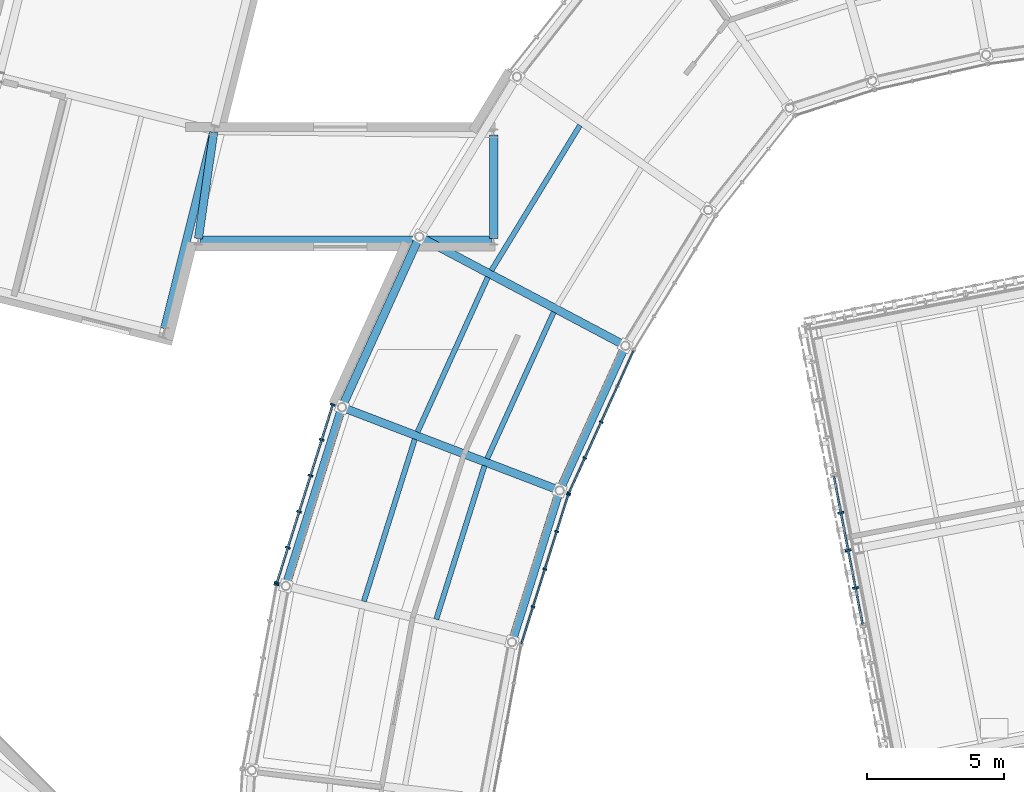
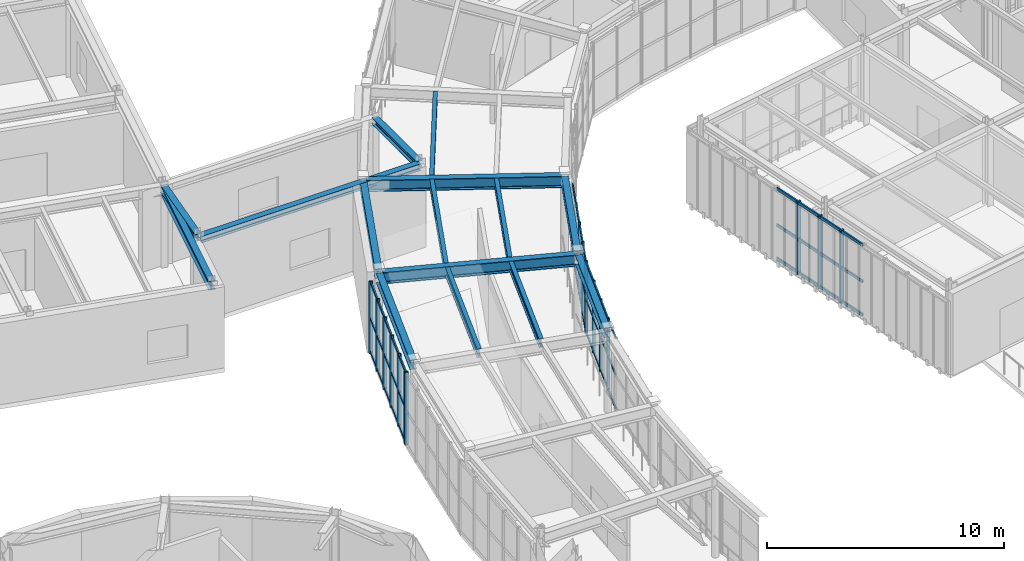
# One storey, part 40 of 103: 29 members, 15 beams, 5 elements without a shape of their own.
"""IFC4 building model written with IfcOpenShell, lengths in metres."""

import ifcopenshell
import ifcopenshell.guid

model = None  # the IFC model being written
_history = None  # IfcOwnerHistory: only IFC2X3 demands one
_inside = {}  # id of a spatial element -> (the spatial element, [elements in it])
_under = {}  # id of a project, library or spatial element -> (it, [spatial elements below it])
_declared = {}  # id of a project -> (the project, [libraries it declares])
_typed = {}  # id of a type object -> (the type object, [elements of that type])
_made_of = {}  # id of a material, layer set ... -> (it, [elements and type objects made of it])


def new_model(schema):
    """Start an empty IFC model of exactly this schema.

    Asked for "IFC4X3", IfcOpenShell would pick the latest addendum, in which some entities
    have other attributes; the version numbers below select the first issue.
    IFC2X3 requires an IfcOwnerHistory on every rooted entity: one is made here for all.
    """
    global model, _history
    if schema == "IFC4X3":
        model = ifcopenshell.file(schema_version=(4, 3, 0, 0))
    else:
        model = ifcopenshell.file(schema=schema)
    _inside.clear()
    _under.clear()
    _declared.clear()
    _typed.clear()
    _made_of.clear()
    _history = None
    if model.schema == "IFC2X3":
        org = make("IfcOrganization", Name="unknown")
        user = make(
            "IfcPersonAndOrganization",
            ThePerson=make("IfcPerson", FamilyName="unknown"),
            TheOrganization=org,
        )
        app = make(
            "IfcApplication",
            ApplicationDeveloper=org,
            Version="unknown",
            ApplicationFullName="unknown",
            ApplicationIdentifier="unknown",
        )
        _history = make(
            "IfcOwnerHistory",
            OwningUser=user,
            OwningApplication=app,
            ChangeAction="ADDED",
            CreationDate=0,
        )
    return model


def make(cls, **values):
    """One entity of the class cls with the attributes given. An attribute that is None is left unset."""
    return model.create_entity(
        cls, **{name: value for name, value in values.items() if value is not None}
    )


def rooted(cls, **values):
    """An entity with a GlobalId (a new one), such as an element, a storey or a relation."""
    return make(cls, GlobalId=ifcopenshell.guid.new(), OwnerHistory=_history, **values)


def si_unit(unit_type, name, prefix=None):
    """IfcSIUnit, for example si_unit("LENGTHUNIT", "METRE", prefix="MILLI")."""
    return make("IfcSIUnit", UnitType=unit_type, Prefix=prefix, Name=name)


def assignment(units):
    """IfcUnitAssignment: the units of a project."""
    return None if units is None else make("IfcUnitAssignment", Units=units)


def point(xyz):
    """IfcCartesianPoint."""
    return None if xyz is None else make("IfcCartesianPoint", Coordinates=xyz)


def direction(xyz):
    """IfcDirection."""
    return None if xyz is None else make("IfcDirection", DirectionRatios=xyz)


def frame(location, z_axis=None, x_axis=None):
    """IfcAxis2Placement3D, a coordinate frame: its origin and axes. An axis left out is left unset."""
    return make(
        "IfcAxis2Placement3D",
        Location=point(location),
        Axis=direction(z_axis),
        RefDirection=direction(x_axis),
    )


def frame_2d(location, x_axis=None):
    """IfcAxis2Placement2D, a coordinate frame in the plane: its origin and x axis."""
    return make(
        "IfcAxis2Placement2D", Location=point(location), RefDirection=direction(x_axis)
    )


def origin():
    """The frame at (0, 0, 0) with its axes left unset."""
    return frame((0.0, 0.0, 0.0))


def origin_2d():
    """The frame at (0, 0) in the plane with its x axis left unset."""
    return frame_2d((0.0, 0.0))


def place(relative_to, where):
    """IfcLocalPlacement: puts the frame where relative to a parent placement (None: the world)."""
    return make(
        "IfcLocalPlacement", PlacementRelTo=relative_to, RelativePlacement=where
    )


def context(
    kind, dimensions, precision=None, world=None, true_north=None, identifier=None
):
    """IfcGeometricRepresentationContext, for example the 3D "Model" context."""
    return make(
        "IfcGeometricRepresentationContext",
        ContextIdentifier=identifier,
        ContextType=kind,
        CoordinateSpaceDimension=dimensions,
        Precision=precision,
        WorldCoordinateSystem=world,
        TrueNorth=true_north,
    )


def subcontext(parent, identifier, kind, view, scale=None):
    """IfcGeometricRepresentationSubContext, for example "Body" below "Model"."""
    return make(
        "IfcGeometricRepresentationSubContext",
        ContextIdentifier=identifier,
        ContextType=kind,
        ParentContext=parent,
        TargetScale=scale,
        TargetView=view,
    )


def project(units=None, contexts=None):
    """IfcProject with its units and contexts."""
    return rooted(
        "IfcProject",
        Name="project",
        RepresentationContexts=contexts,
        UnitsInContext=assignment(units),
    )


def spatial(cls, under=None, at=None, **own):
    """A site, building, storey or space (cls), placed at a placement, below another one or the project."""
    s = rooted(cls, ObjectPlacement=at, **own)
    if under is not None:
        _under.setdefault(under.id(), (under, []))[1].append(s)
    return s


def profile(cls, at=None, kind="AREA", **sizes):
    """A parametric profile (cls). Its sizes go by their IFC names, for example OverallWidth=200.0."""
    return make(cls, ProfileType=kind, Position=at, **sizes)


def rectangle(**sizes):
    """IfcRectangleProfileDef."""
    return profile("IfcRectangleProfileDef", **sizes)


def i_section(**sizes):
    """IfcIShapeProfileDef."""
    return profile("IfcIShapeProfileDef", **sizes)


def extrude(swept, where, along, depth):
    """IfcExtrudedAreaSolid: the profile swept, set in the frame where, extruded along a direction by depth."""
    return make(
        "IfcExtrudedAreaSolid",
        SweptArea=swept,
        Position=where,
        ExtrudedDirection=direction(along),
        Depth=depth,
    )


def shape(context_of_items, identifier, shape_type, items):
    """IfcShapeRepresentation: the items that make up one representation, for example the "Body"."""
    return make(
        "IfcShapeRepresentation",
        ContextOfItems=context_of_items,
        RepresentationIdentifier=identifier,
        RepresentationType=shape_type,
        Items=items,
    )


def material(Name=None, Category=None):
    """IfcMaterial."""
    return make("IfcMaterial", Name=Name, Category=Category)


def material_profile(
    of_material, cross_section, Name=None, Category=None, Priority=None
):
    """IfcMaterialProfile: a cross section and its material."""
    return make(
        "IfcMaterialProfile",
        Name=Name,
        Material=of_material,
        Profile=cross_section,
        Priority=Priority,
        Category=Category,
    )


def profile_set(profiles, Name=None, composite=None):
    """IfcMaterialProfileSet."""
    return make(
        "IfcMaterialProfileSet",
        Name=Name,
        MaterialProfiles=profiles,
        CompositeProfile=composite,
    )


def made_of(thing, what):
    """Note that an element or type object is made of a material, layer set ...; save() writes the relation."""
    if what is not None:
        _made_of.setdefault(what.id(), (what, []))[1].append(thing)
    return thing


def type_object(cls, material=None, **own):
    """A type object (cls), such as IfcWallType, which elements share."""
    return made_of(rooted(cls, **own), material)


def element(
    cls,
    number,
    at=None,
    inside=None,
    cuts=None,
    type_object=None,
    material=None,
    context=None,
    identifier="Body",
    shape_type=None,
    held_by="IfcProductDefinitionShape",
    body=None,
    shapes=None,
    **own,
):
    """One element of the class cls, such as IfcWall. Its Tag is "e" and its number.

    at: its placement. inside: the storey or other place that contains it. cuts: it is an
    opening in that element (IfcRelVoidsElement). A single representation is given by context,
    identifier, shape_type and body (its items); several are given by shapes. held_by: the class
    of the entity that holds the representations. save() writes the other relations.
    """
    e = rooted(cls, Tag="e%d" % number, ObjectPlacement=at, **own)
    if body is not None:
        shapes = [shape(context, identifier, shape_type, body)]
    if shapes is not None:
        e.Representation = make(held_by, Representations=shapes)
    if inside is not None:
        _inside.setdefault(inside.id(), (inside, []))[1].append(e)
    if cuts is not None:
        rooted(
            "IfcRelVoidsElement", RelatingBuildingElement=cuts, RelatedOpeningElement=e
        )
    if type_object is not None:
        _typed.setdefault(type_object.id(), (type_object, []))[1].append(e)
    return made_of(e, material)


def aggregate(whole, parts):
    """IfcRelAggregates: a whole, such as a stair, and the parts it consists of."""
    return rooted("IfcRelAggregates", RelatingObject=whole, RelatedObjects=parts)


def save(model, path):
    """Write the relations noted so far, then the file.

    IfcRelAggregates (storeys below a building ...), IfcRelContainedInSpatialStructure (elements
    in a storey), IfcRelDefinesByType, IfcRelAssociatesMaterial and IfcRelDeclares: one each for
    every whole, place, type object, material and project.
    """
    for whole, parts in _under.values():
        aggregate(whole, parts)
    for where, things in _inside.values():
        rooted(
            "IfcRelContainedInSpatialStructure",
            RelatedElements=things,
            RelatingStructure=where,
        )
    for kind, things in _typed.values():
        rooted("IfcRelDefinesByType", RelatedObjects=things, RelatingType=kind)
    for what, things in _made_of.values():
        rooted("IfcRelAssociatesMaterial", RelatedObjects=things, RelatingMaterial=what)
    for by, libraries in _declared.values():
        rooted("IfcRelDeclares", RelatingContext=by, RelatedDefinitions=libraries)
    model.write(path)


model = new_model("IFC4")

# Units and contexts
model_context = context("Model", 3, precision=1e-05, world=origin(), true_north=direction((0.0, 1.0)))
body_context = subcontext(model_context, "Body", "Model", "MODEL_VIEW")
ifc_project = project(units=[si_unit("LENGTHUNIT", "METRE"), si_unit("AREAUNIT", "SQUARE_METRE"), si_unit("VOLUMEUNIT", "CUBIC_METRE"), si_unit("PLANEANGLEUNIT", "RADIAN"), si_unit("MASSUNIT", "GRAM", prefix="KILO")], contexts=[model_context])

# Site, building, storey
site_placement = place(None, origin())
site = spatial("IfcSite", under=ifc_project, at=site_placement, CompositionType="ELEMENT")
building_placement = place(site_placement, origin())
building = spatial("IfcBuilding", under=site, at=building_placement, Name="Varnklinge Art Gallery", CompositionType="ELEMENT")
storey_placement = place(building_placement, frame((0.0, 0.0, 5.10009765625)))
storey = spatial("IfcBuildingStorey", under=building, at=storey_placement, Name="L01", CompositionType="ELEMENT", Elevation=5.10009765625)

# Beams
ifc_material_1 = material(Name="Steel S355", Category="steel")
ifc_material_profile_1 = material_profile(ifc_material_1, i_section(OverallWidth=0.300048828125, OverallDepth=0.590087890625, WebThickness=0.012939453125, FlangeThickness=0.02490234375, FilletRadius=0.027099609375, at=origin_2d()), Name="HEA 600")
ifc_profile_set_1 = profile_set([ifc_material_profile_1], Name="Steel S355")
beam_type_1 = type_object("IfcBeamType", Name="BM-06", PredefinedType="BEAM", material=ifc_profile_set_1)
for number, where, z_axis, x_axis, name in (
    (1, (46.407470703125, 81.265380859375, 3.885009765625), (0.883713647739, -0.468027978651, 0.0), (0.468027978651, 0.883713647739, 0.0), "L01 BM-06 BM-V2-L02-R23"),
    (2, (43.584228515625, 75.047119140625, 3.885009765625), (0.934013153302, -0.357238616976, 0.0), (0.357238616976, 0.934013153302, 0.0), "L01 BM-06 BM-V2-L02-R24"),
):
    element("IfcBeam", number, at=place(storey_placement, frame(where, z_axis=z_axis, x_axis=x_axis)), inside=storey, type_object=beam_type_1, Name=name, PredefinedType="BEAM", context=body_context, shape_type="SweptSolid", body=[
        extrude(i_section(OverallWidth=0.300048828125, OverallDepth=0.590087890625, WebThickness=0.012939453125, FlangeThickness=0.02490234375, FilletRadius=0.027099609375, at=origin_2d()), origin(), (0.0, 0.0, 1.0), 8.237060546875),
    ])
ifc_material_2 = material(Name="Steel S355", Category="steel")
ifc_material_profile_2 = material_profile(ifc_material_2, i_section(OverallWidth=0.300048828125, OverallDepth=0.43994140625, WebThickness=0.011474609375, FlangeThickness=0.02099609375, FilletRadius=0.027099609375, at=origin_2d()), Name="HEA 450")
ifc_profile_set_2 = profile_set([ifc_material_profile_2], Name="Steel S355")
beam_type_2 = type_object("IfcBeamType", Name="BM-08", PredefinedType="BEAM", material=ifc_profile_set_2)
beam_1_placement = place(storey_placement, frame((36.97021484375, 77.970703125, 3.9599609375), z_axis=(0.241939157724, 0.970291422182, 0.0), x_axis=(-0.970291422182, 0.241939157724, 0.0)))
element("IfcBeam", 3, at=beam_1_placement, inside=storey, type_object=beam_type_2, Name="L01 BM-08 BM-V5-L02-V4-0", PredefinedType="BEAM", context=body_context, shape_type="SweptSolid", body=[
    extrude(i_section(OverallWidth=0.300048828125, OverallDepth=0.43994140625, WebThickness=0.011474609375, FlangeThickness=0.02099609375, FilletRadius=0.027099609375, at=origin_2d()), origin(), (0.0, 0.0, 1.0), 7.320068359375),
])
ifc_material_3 = material(Name="Steel S355", Category="steel")
ifc_material_profile_3 = material_profile(ifc_material_3, i_section(OverallWidth=0.300048828125, OverallDepth=0.35009765625, WebThickness=0.010009765625, FlangeThickness=0.017578125, FilletRadius=0.027099609375, at=origin_2d()), Name="HEA 360")
ifc_profile_set_3 = profile_set([ifc_material_profile_3], Name="Steel S355")
beam_type_3 = type_object("IfcBeamType", Name="BM-10", PredefinedType="BEAM", material=ifc_profile_set_3)
beam_2_placement = place(storey_placement, frame((38.260009765625, 81.199951171875, 4.0048828125), z_axis=(1.0, 0.0, 0.0), x_axis=(0.0, 1.0, 0.0)))
element("IfcBeam", 4, at=beam_2_placement, inside=storey, type_object=beam_type_3, Name="L01 BM-10 BM-LNK-V5-ROOF-1", PredefinedType="BEAM", context=body_context, shape_type="SweptSolid", body=[
    extrude(i_section(OverallWidth=0.300048828125, OverallDepth=0.35009765625, WebThickness=0.010009765625, FlangeThickness=0.017578125, FilletRadius=0.027099609375, at=origin_2d()), origin(), (0.0, 0.0, 1.0), 10.679931640625),
])
beam_3_placement = place(storey_placement, frame((49.0, 81.260009765625, 4.0048828125), z_axis=(0.0, 1.0, 0.0), x_axis=(-1.0, 0.0, 0.0)))
element("IfcBeam", 5, at=beam_3_placement, inside=storey, type_object=beam_type_3, Name="L01 BM-10 BM-LNK-V5-ROOF-2", PredefinedType="BEAM", context=body_context, shape_type="SweptSolid", body=[
    extrude(i_section(OverallWidth=0.300048828125, OverallDepth=0.35009765625, WebThickness=0.010009765625, FlangeThickness=0.017578125, FilletRadius=0.027099609375, at=origin_2d()), origin(), (0.0, 0.0, 1.0), 3.780029296875),
])
beam_4_placement = place(storey_placement, frame((38.7666015625, 85.149658203125, 4.0048828125), z_axis=(-0.142012740137, -0.989864829984, 0.0), x_axis=(0.989864829984, -0.142012740137, 0.0)))
element("IfcBeam", 6, at=beam_4_placement, inside=storey, type_object=beam_type_3, Name="L01 BM-10 BM-LNK-V5-ROOF-4", PredefinedType="BEAM", context=body_context, shape_type="SweptSolid", body=[
    extrude(i_section(OverallWidth=0.300048828125, OverallDepth=0.35009765625, WebThickness=0.010009765625, FlangeThickness=0.017578125, FilletRadius=0.027099609375, at=origin_2d()), origin(), (0.0, 0.0, 1.0), 3.929931640625),
])
ifc_material_4 = material(Name="Steel S355", Category="steel")
ifc_material_profile_4 = material_profile(ifc_material_4, i_section(OverallWidth=0.18994140625, OverallDepth=0.449951171875, WebThickness=0.009521484375, FlangeThickness=0.0146484375, FilletRadius=0.02099609375, at=origin_2d()), Name="IPE 450")
ifc_profile_set_4 = profile_set([ifc_material_profile_4], Name="Steel S355")
beam_type_4 = type_object("IfcBeamType", Name="JST-04", PredefinedType="JOIST", material=ifc_profile_set_4)
beam_5_placement = place(storey_placement, frame((52.152587890625, 85.399169921875, 3.954833984375), z_axis=(-0.520923848619, -0.853603153661, 0.0), x_axis=(0.853603153661, -0.520923848619, 0.0)))
element("IfcBeam", 7, at=beam_5_placement, inside=storey, type_object=beam_type_4, Name="L01 JST-04 JST-V2-L02-22-1", PredefinedType="JOIST", context=body_context, shape_type="SweptSolid", body=[
    extrude(i_section(OverallWidth=0.18994140625, OverallDepth=0.449951171875, WebThickness=0.009521484375, FlangeThickness=0.0146484375, FilletRadius=0.02099609375, at=origin_2d()), origin(), (0.0, 0.0, 1.0), 6.213623046875),
])
beam_6_placement = place(storey_placement, frame((48.784912109375, 79.84814453125, 3.954833984375), z_axis=(-0.413409198448, -0.910545350127, 0.0), x_axis=(0.910545350127, -0.413409198448, 0.0)))
element("IfcBeam", 8, at=beam_6_placement, inside=storey, type_object=beam_type_4, Name="L01 JST-04 JST-V2-L02-23-1", PredefinedType="JOIST", context=body_context, shape_type="SweptSolid", body=[
    extrude(i_section(OverallWidth=0.18994140625, OverallDepth=0.449951171875, WebThickness=0.009521484375, FlangeThickness=0.0146484375, FilletRadius=0.02099609375, at=origin_2d()), origin(), (0.0, 0.0, 1.0), 6.2138671875),
])
beam_7_placement = place(storey_placement, frame((51.193603515625, 78.572509765625, 3.954833984375), z_axis=(-0.413430786601, -0.910535548285, 0.0), x_axis=(0.910535548285, -0.413430786601, 0.0)))
element("IfcBeam", 9, at=beam_7_placement, inside=storey, type_object=beam_type_4, Name="L01 JST-04 JST-V2-L02-23-2", PredefinedType="JOIST", context=body_context, shape_type="SweptSolid", body=[
    extrude(i_section(OverallWidth=0.18994140625, OverallDepth=0.449951171875, WebThickness=0.009521484375, FlangeThickness=0.0146484375, FilletRadius=0.02099609375, at=origin_2d()), origin(), (0.0, 0.0, 1.0), 5.88232421875),
])
beam_8_placement = place(storey_placement, frame((46.1162109375, 73.92919921875, 3.954833984375), z_axis=(-0.29971318729, -0.954029352465, 0.0), x_axis=(0.954029352465, -0.29971318729, 0.0)))
element("IfcBeam", 10, at=beam_8_placement, inside=storey, type_object=beam_type_4, Name="L01 JST-04 JST-V2-L02-24-1", PredefinedType="JOIST", context=body_context, shape_type="SweptSolid", body=[
    extrude(i_section(OverallWidth=0.18994140625, OverallDepth=0.449951171875, WebThickness=0.009521484375, FlangeThickness=0.0146484375, FilletRadius=0.02099609375, at=origin_2d()), origin(), (0.0, 0.0, 1.0), 6.213623046875),
])
beam_9_placement = place(storey_placement, frame((48.662109375, 72.95556640625, 3.954833984375), z_axis=(-0.299756442746, -0.954015762465, 0.0), x_axis=(0.954015762465, -0.299756442746, 0.0)))
element("IfcBeam", 11, at=beam_9_placement, inside=storey, type_object=beam_type_4, Name="L01 JST-04 JST-V2-L02-24-2", PredefinedType="JOIST", context=body_context, shape_type="SweptSolid", body=[
    extrude(i_section(OverallWidth=0.18994140625, OverallDepth=0.449951171875, WebThickness=0.009521484375, FlangeThickness=0.0146484375, FilletRadius=0.02099609375, at=origin_2d()), origin(), (0.0, 0.0, 1.0), 5.882080078125),
])

# Curtain wall, members
ifc_material_5 = material(Name="Anodised Aluminium", Category="aluminium")
curtain_wall_type_1 = type_object("IfcCurtainWallType", Name="CW-R02", PredefinedType="USERDEFINED", material=ifc_material_5)
curtain_wall_1_placement = place(storey_placement, origin())
curtain_wall_1 = element("IfcCurtainWall", 12, at=curtain_wall_1_placement, inside=storey, type_object=curtain_wall_type_1, Name="L01 Curtain Wall CW-V2O-L01-24", ObjectType="UNITISED CURTAIN WALL", PredefinedType="USERDEFINED")
ifc_material_6 = material(Name="Anodised Aluminium", Category="aluminium")
ifc_material_profile_5 = material_profile(ifc_material_6, rectangle(XDim=0.06494140625, YDim=0.179931640625, at=origin_2d()), Name="ALU 65x180")
ifc_profile_set_5 = profile_set([ifc_material_profile_5], Name="Anodised Aluminium")
member_type_1 = type_object("IfcMemberType", Name="MUL-01", PredefinedType="MULLION", material=ifc_profile_set_5)
member_1_placement = place(storey_placement, frame((43.116943359375, 75.191162109375, 0.0), z_axis=(0.0, 0.0, 1.0), x_axis=(-0.299706904751, -0.954031326134, 0.0)))
member_1 = element("IfcMember", 13, at=member_1_placement, type_object=member_type_1, Name="CW-V2O-L01-24 Mullion 1", PredefinedType="MULLION", context=body_context, shape_type="SweptSolid", body=[
    extrude(rectangle(XDim=0.06494140625, YDim=0.179931640625, at=origin_2d()), origin(), (0.0, 0.0, 1.0), 3.72998046875),
])
member_2_placement = place(storey_placement, frame((42.713623046875, 73.90771484375, 0.0), z_axis=(0.0, 0.0, 1.0), x_axis=(-0.299706904751, -0.954031326134, 0.0)))
member_2 = element("IfcMember", 14, at=member_2_placement, type_object=member_type_1, Name="CW-V2O-L01-24 Mullion 2", PredefinedType="MULLION", context=body_context, shape_type="SweptSolid", body=[
    extrude(rectangle(XDim=0.06494140625, YDim=0.179931640625, at=origin_2d()), origin(), (0.0, 0.0, 1.0), 3.72998046875),
])
member_3_placement = place(storey_placement, frame((42.30078125, 72.593505859375, 0.0), z_axis=(0.0, 0.0, 1.0), x_axis=(-0.299706904751, -0.954031326134, 0.0)))
member_3 = element("IfcMember", 15, at=member_3_placement, type_object=member_type_1, Name="CW-V2O-L01-24 Mullion 3", PredefinedType="MULLION", context=body_context, shape_type="SweptSolid", body=[
    extrude(rectangle(XDim=0.06494140625, YDim=0.179931640625, at=origin_2d()), origin(), (0.0, 0.0, 1.0), 3.72998046875),
])
member_4_placement = place(storey_placement, frame((41.8876953125, 71.279052734375, 0.0), z_axis=(0.0, 0.0, 1.0), x_axis=(-0.299706904751, -0.954031326134, 0.0)))
member_4 = element("IfcMember", 16, at=member_4_placement, type_object=member_type_1, Name="CW-V2O-L01-24 Mullion 4", PredefinedType="MULLION", context=body_context, shape_type="SweptSolid", body=[
    extrude(rectangle(XDim=0.06494140625, YDim=0.179931640625, at=origin_2d()), origin(), (0.0, 0.0, 1.0), 3.72998046875),
])
member_5_placement = place(storey_placement, frame((41.474853515625, 69.964599609375, 0.0), z_axis=(0.0, 0.0, 1.0), x_axis=(-0.299706904751, -0.954031326134, 0.0)))
member_5 = element("IfcMember", 17, at=member_5_placement, type_object=member_type_1, Name="CW-V2O-L01-24 Mullion 5", PredefinedType="MULLION", context=body_context, shape_type="SweptSolid", body=[
    extrude(rectangle(XDim=0.06494140625, YDim=0.179931640625, at=origin_2d()), origin(), (0.0, 0.0, 1.0), 3.72998046875),
])
member_6_placement = place(storey_placement, frame((41.071533203125, 68.68115234375, 0.0), z_axis=(0.0, 0.0, 1.0), x_axis=(-0.299706904751, -0.954031326134, 0.0)))
member_6 = element("IfcMember", 18, at=member_6_placement, type_object=member_type_1, Name="CW-V2O-L01-24 Mullion 6", PredefinedType="MULLION", context=body_context, shape_type="SweptSolid", body=[
    extrude(rectangle(XDim=0.06494140625, YDim=0.179931640625, at=origin_2d()), origin(), (0.0, 0.0, 1.0), 3.72998046875),
])

# Curtain wall, member
curtain_wall_2_placement = place(storey_placement, origin())
curtain_wall_2 = element("IfcCurtainWall", 19, at=curtain_wall_2_placement, inside=storey, type_object=curtain_wall_type_1, Name="L01 Curtain Wall CW-V2O-L01-25", ObjectType="UNITISED CURTAIN WALL", PredefinedType="USERDEFINED")
member_7_placement = place(storey_placement, frame((41.055908203125, 68.6181640625, 0.0), z_axis=(0.0, 0.0, 1.0), x_axis=(-0.18172066947, -0.983350191075, 0.0)))
member_7 = element("IfcMember", 20, at=member_7_placement, type_object=member_type_1, Name="CW-V2O-L01-25 Mullion 1", PredefinedType="MULLION", context=body_context, shape_type="SweptSolid", body=[
    extrude(rectangle(XDim=0.06494140625, YDim=0.179931640625, at=origin_2d()), origin(), (0.0, 0.0, 1.0), 3.72998046875),
])
aggregate(curtain_wall_2, [member_7])

# Curtain wall, members
ifc_material_7 = material(Name="Anodised Aluminium", Category="aluminium")
curtain_wall_type_2 = type_object("IfcCurtainWallType", Name="CW-L06", PredefinedType="USERDEFINED", material=ifc_material_7)
curtain_wall_3_placement = place(storey_placement, origin())
curtain_wall_3 = element("IfcCurtainWall", 21, at=curtain_wall_3_placement, inside=storey, type_object=curtain_wall_type_2, Name="L01 Curtain Wall CW-V4B-L01-4-1-2", ObjectType="UNITISED CURTAIN WALL", PredefinedType="USERDEFINED")
ifc_material_8 = material(Name="Anodised Aluminium", Category="aluminium")
ifc_material_profile_6 = material_profile(ifc_material_8, rectangle(XDim=0.074951171875, YDim=0.219970703125, at=origin_2d()), Name="ALU 75x220")
ifc_profile_set_6 = profile_set([ifc_material_profile_6], Name="Anodised Aluminium")
member_type_2 = type_object("IfcMemberType", Name="MUL-02", PredefinedType="MULLION", material=ifc_profile_set_6)
member_8_placement = place(storey_placement, frame((61.686279296875, 71.2412109375, 0.0), z_axis=(0.0, 0.0, 1.0), x_axis=(0.190808995377, -0.981627183448, 0.0)))
member_8 = element("IfcMember", 22, at=member_8_placement, type_object=member_type_2, Name="CW-V4B-L01-4-1-2 Mullion 2", PredefinedType="MULLION", context=body_context, shape_type="SweptSolid", body=[
    extrude(rectangle(XDim=0.074951171875, YDim=0.219970703125, at=origin_2d()), origin(), (0.0, 0.0, 1.0), 3.75),
])
member_9_placement = place(storey_placement, frame((61.95361328125, 69.86669921875, 0.0), z_axis=(0.0, 0.0, 1.0), x_axis=(0.190808995377, -0.981627183448, 0.0)))
member_9 = element("IfcMember", 23, at=member_9_placement, type_object=member_type_2, Name="CW-V4B-L01-4-1-2 Mullion 3", PredefinedType="MULLION", context=body_context, shape_type="SweptSolid", body=[
    extrude(rectangle(XDim=0.074951171875, YDim=0.219970703125, at=origin_2d()), origin(), (0.0, 0.0, 1.0), 3.75),
])
member_10_placement = place(storey_placement, frame((62.220703125, 68.49267578125, 0.0), z_axis=(0.0, 0.0, 1.0), x_axis=(0.190808995377, -0.981627183448, 0.0)))
member_10 = element("IfcMember", 24, at=member_10_placement, type_object=member_type_2, Name="CW-V4B-L01-4-1-2 Mullion 4", PredefinedType="MULLION", context=body_context, shape_type="SweptSolid", body=[
    extrude(rectangle(XDim=0.074951171875, YDim=0.219970703125, at=origin_2d()), origin(), (0.0, 0.0, 1.0), 3.75),
])

ifc_material_9 = material(Name="Anodised Aluminium", Category="aluminium")
curtain_wall_type_3 = type_object("IfcCurtainWallType", Name="CW-R04", PredefinedType="USERDEFINED", material=ifc_material_9)
curtain_wall_4_placement = place(storey_placement, origin())
curtain_wall_4 = element("IfcCurtainWall", 25, at=curtain_wall_4_placement, inside=storey, type_object=curtain_wall_type_3, Name="L01 Curtain Wall CW-V2I-L01-23", ObjectType="UNITISED CURTAIN WALL", PredefinedType="USERDEFINED")
ifc_material_10 = material(Name="Anodised Aluminium", Category="aluminium")
ifc_material_profile_7 = material_profile(ifc_material_10, rectangle(XDim=0.06005859375, YDim=0.139892578125, at=origin_2d()), Name="ALU 60x140")
ifc_profile_set_7 = profile_set([ifc_material_profile_7], Name="Anodised Aluminium")
member_type_3 = type_object("IfcMemberType", Name="MUL-03", PredefinedType="MULLION", material=ifc_profile_set_7)
member_11_placement = place(storey_placement, frame((51.748046875, 71.956787109375, 0.0), z_axis=(0.0, 0.0, 1.0), x_axis=(0.413422293217, 0.910539404678, 0.0)))
member_11 = element("IfcMember", 26, at=member_11_placement, type_object=member_type_3, Name="CW-V2I-L01-23 Mullion 1", PredefinedType="MULLION", context=body_context, shape_type="SweptSolid", body=[
    extrude(rectangle(XDim=0.06005859375, YDim=0.139892578125, at=origin_2d()), origin(), (0.0, 0.0, 1.0), 3.72998046875),
])
member_12_placement = place(storey_placement, frame((52.33154296875, 73.242431640625, 0.0), z_axis=(0.0, 0.0, 1.0), x_axis=(0.413422293217, 0.910539404678, 0.0)))
member_12 = element("IfcMember", 27, at=member_12_placement, type_object=member_type_3, Name="CW-V2I-L01-23 Mullion 2", PredefinedType="MULLION", context=body_context, shape_type="SweptSolid", body=[
    extrude(rectangle(XDim=0.06005859375, YDim=0.139892578125, at=origin_2d()), origin(), (0.0, 0.0, 1.0), 3.72998046875),
])
member_13_placement = place(storey_placement, frame((52.927490234375, 74.55517578125, 0.0), z_axis=(0.0, 0.0, 1.0), x_axis=(0.413422293217, 0.910539404678, 0.0)))
member_13 = element("IfcMember", 28, at=member_13_placement, type_object=member_type_3, Name="CW-V2I-L01-23 Mullion 3", PredefinedType="MULLION", context=body_context, shape_type="SweptSolid", body=[
    extrude(rectangle(XDim=0.06005859375, YDim=0.139892578125, at=origin_2d()), origin(), (0.0, 0.0, 1.0), 3.72998046875),
])

curtain_wall_5_placement = place(storey_placement, origin())
curtain_wall_5 = element("IfcCurtainWall", 29, at=curtain_wall_5_placement, inside=storey, type_object=curtain_wall_type_3, Name="L01 Curtain Wall CW-V2I-L01-24", ObjectType="UNITISED CURTAIN WALL", PredefinedType="USERDEFINED")
member_14_placement = place(storey_placement, frame((50.439208984375, 67.802978515625, 0.0), z_axis=(0.0, 0.0, 1.0), x_axis=(0.299706904751, 0.954031326134, 0.0)))
member_14 = element("IfcMember", 30, at=member_14_placement, type_object=member_type_3, Name="CW-V2I-L01-24 Mullion 2", PredefinedType="MULLION", context=body_context, shape_type="SweptSolid", body=[
    extrude(rectangle(XDim=0.06005859375, YDim=0.139892578125, at=origin_2d()), origin(), (0.0, 0.0, 1.0), 3.72998046875),
])
member_15_placement = place(storey_placement, frame((50.87109375, 69.1787109375, 0.0), z_axis=(0.0, 0.0, 1.0), x_axis=(0.299706904751, 0.954031326134, 0.0)))
member_15 = element("IfcMember", 31, at=member_15_placement, type_object=member_type_3, Name="CW-V2I-L01-24 Mullion 3", PredefinedType="MULLION", context=body_context, shape_type="SweptSolid", body=[
    extrude(rectangle(XDim=0.06005859375, YDim=0.139892578125, at=origin_2d()), origin(), (0.0, 0.0, 1.0), 3.72998046875),
])
member_16_placement = place(storey_placement, frame((51.303466796875, 70.55419921875, 0.0), z_axis=(0.0, 0.0, 1.0), x_axis=(0.299706904751, 0.954031326134, 0.0)))
member_16 = element("IfcMember", 32, at=member_16_placement, type_object=member_type_3, Name="CW-V2I-L01-24 Mullion 4", PredefinedType="MULLION", context=body_context, shape_type="SweptSolid", body=[
    extrude(rectangle(XDim=0.06005859375, YDim=0.139892578125, at=origin_2d()), origin(), (0.0, 0.0, 1.0), 3.72998046875),
])
member_17_placement = place(storey_placement, frame((51.7265625, 71.90087890625, 0.0), z_axis=(0.0, 0.0, 1.0), x_axis=(0.299706904751, 0.954031326134, 0.0)))
member_17 = element("IfcMember", 33, at=member_17_placement, type_object=member_type_3, Name="CW-V2I-L01-24 Mullion 5", PredefinedType="MULLION", context=body_context, shape_type="SweptSolid", body=[
    extrude(rectangle(XDim=0.06005859375, YDim=0.139892578125, at=origin_2d()), origin(), (0.0, 0.0, 1.0), 3.72998046875),
])

# Beams
ifc_material_11 = material(Name="Steel S355", Category="steel")
ifc_material_profile_8 = material_profile(ifc_material_11, i_section(OverallWidth=0.300048828125, OverallDepth=0.489990234375, WebThickness=0.011962890625, FlangeThickness=0.02294921875, FilletRadius=0.027099609375, at=origin_2d()), Name="HEA 500")
ifc_profile_set_8 = profile_set([ifc_material_profile_8], Name="Steel S355")
beam_type_5 = type_object("IfcBeamType", Name="SPB-01", PredefinedType="SPANDREL", material=ifc_profile_set_8)
beam_10_placement = place(storey_placement, frame((46.225830078125, 81.20361328125, 3.934814453125), z_axis=(-0.413377101484, -0.910559922229, 0.0), x_axis=(0.910559922229, -0.413377101484, 0.0)))
element("IfcBeam", 34, at=beam_10_placement, inside=storey, type_object=beam_type_5, Name="L01 SPB-01 BM-V2-L02-O23", PredefinedType="SPANDREL", context=body_context, shape_type="SweptSolid", body=[
    extrude(i_section(OverallWidth=0.300048828125, OverallDepth=0.489990234375, WebThickness=0.011962890625, FlangeThickness=0.02294921875, FilletRadius=0.027099609375, at=origin_2d()), origin(), (0.0, 0.0, 1.0), 6.56640625),
])
beam_11_placement = place(storey_placement, frame((53.75244140625, 77.217041015625, 3.934814453125), z_axis=(-0.413397065821, -0.910550858531, 0.0), x_axis=(0.910550858531, -0.413397065821, 0.0)))
element("IfcBeam", 35, at=beam_11_placement, inside=storey, type_object=beam_type_5, Name="L01 SPB-01 BM-V2-L02-I23", PredefinedType="SPANDREL", context=body_context, shape_type="SweptSolid", body=[
    extrude(i_section(OverallWidth=0.300048828125, OverallDepth=0.489990234375, WebThickness=0.011962890625, FlangeThickness=0.02294921875, FilletRadius=0.027099609375, at=origin_2d()), origin(), (0.0, 0.0, 1.0), 5.529541015625),
])
beam_12_placement = place(storey_placement, frame((43.41162109375, 74.963623046875, 3.934814453125), z_axis=(-0.299727009364, -0.95402501008, 0.0), x_axis=(0.95402501008, -0.299727009364, 0.0)))
element("IfcBeam", 36, at=beam_12_placement, inside=storey, type_object=beam_type_5, Name="L01 SPB-01 BM-V2-L02-O24", PredefinedType="SPANDREL", context=body_context, shape_type="SweptSolid", body=[
    extrude(i_section(OverallWidth=0.300048828125, OverallDepth=0.489990234375, WebThickness=0.011962890625, FlangeThickness=0.02294921875, FilletRadius=0.027099609375, at=origin_2d()), origin(), (0.0, 0.0, 1.0), 6.56591796875),
])
beam_13_placement = place(storey_placement, frame((51.36669921875, 71.9208984375, 3.934814453125), z_axis=(-0.299742786947, -0.954020053077, 0.0), x_axis=(0.954020053077, -0.299742786947, 0.0)))
element("IfcBeam", 37, at=beam_13_placement, inside=storey, type_object=beam_type_5, Name="L01 SPB-01 BM-V2-L02-I24", PredefinedType="SPANDREL", context=body_context, shape_type="SweptSolid", body=[
    extrude(i_section(OverallWidth=0.300048828125, OverallDepth=0.489990234375, WebThickness=0.011962890625, FlangeThickness=0.02294921875, FilletRadius=0.027099609375, at=origin_2d()), origin(), (0.0, 0.0, 1.0), 5.529541015625),
])

# Member
ifc_material_12 = material(Name="Anodised Aluminium", Category="aluminium")
ifc_material_profile_9 = material_profile(ifc_material_12, rectangle(XDim=0.06494140625, YDim=0.14990234375, at=origin_2d()), Name="ALU 65x150")
ifc_profile_set_9 = profile_set([ifc_material_profile_9], Name="Anodised Aluminium")
member_type_4 = type_object("IfcMemberType", Name="TRN-01", PredefinedType="USERDEFINED", material=ifc_profile_set_9)
member_18_placement = place(storey_placement, frame((43.116943359375, 75.191162109375, 0.074951171875), z_axis=(-0.299747517442, -0.954018566794, 0.0), x_axis=(0.954018566794, -0.299747517442, 0.0)))
member_18 = element("IfcMember", 38, at=member_18_placement, type_object=member_type_4, Name="CW-V2O-L01-24 Transom 1", ObjectType="TRANSOM", PredefinedType="USERDEFINED", context=body_context, shape_type="SweptSolid", body=[
    extrude(rectangle(XDim=0.06494140625, YDim=0.14990234375, at=origin_2d()), origin(), (0.0, 0.0, 1.0), 6.82373046875),
])

member_19_placement = place(storey_placement, frame((43.116943359375, 75.191162109375, 1.790283203125), z_axis=(-0.299747517442, -0.954018566794, 0.0), x_axis=(0.954018566794, -0.299747517442, 0.0)))
member_19 = element("IfcMember", 39, at=member_19_placement, type_object=member_type_4, Name="CW-V2O-L01-24 Transom 2", ObjectType="TRANSOM", PredefinedType="USERDEFINED", context=body_context, shape_type="SweptSolid", body=[
    extrude(rectangle(XDim=0.06494140625, YDim=0.14990234375, at=origin_2d()), origin(), (0.0, 0.0, 1.0), 6.82373046875),
])

member_20_placement = place(storey_placement, frame((43.116943359375, 75.191162109375, 3.65478515625), z_axis=(-0.299747517442, -0.954018566794, 0.0), x_axis=(0.954018566794, -0.299747517442, 0.0)))
member_20 = element("IfcMember", 40, at=member_20_placement, type_object=member_type_4, Name="CW-V2O-L01-24 Transom 3", ObjectType="TRANSOM", PredefinedType="USERDEFINED", context=body_context, shape_type="SweptSolid", body=[
    extrude(rectangle(XDim=0.06494140625, YDim=0.14990234375, at=origin_2d()), origin(), (0.0, 0.0, 1.0), 6.82373046875),
])

aggregate(curtain_wall_1, [member_1, member_2, member_3, member_4, member_5, member_6, member_18, member_19, member_20])

member_21_placement = place(storey_placement, frame((61.426513671875, 72.57861328125, 0.074951171875), z_axis=(0.190802243749, -0.981628495807, 0.0), x_axis=(0.981628495807, 0.190802243749, 0.0)))
member_21 = element("IfcMember", 41, at=member_21_placement, type_object=member_type_4, Name="CW-V4B-L01-4-1-2 Transom 1", ObjectType="TRANSOM", PredefinedType="USERDEFINED", context=body_context, shape_type="SweptSolid", body=[
    extrude(rectangle(XDim=0.06494140625, YDim=0.14990234375, at=origin_2d()), origin(), (0.0, 0.0, 1.0), 5.525146484375),
])

member_22_placement = place(storey_placement, frame((61.426513671875, 72.57861328125, 1.7998046875), z_axis=(0.190802243749, -0.981628495807, 0.0), x_axis=(0.981628495807, 0.190802243749, 0.0)))
member_22 = element("IfcMember", 42, at=member_22_placement, type_object=member_type_4, Name="CW-V4B-L01-4-1-2 Transom 2", ObjectType="TRANSOM", PredefinedType="USERDEFINED", context=body_context, shape_type="SweptSolid", body=[
    extrude(rectangle(XDim=0.06494140625, YDim=0.14990234375, at=origin_2d()), origin(), (0.0, 0.0, 1.0), 5.525146484375),
])

member_23_placement = place(storey_placement, frame((61.426513671875, 72.57861328125, 3.6748046875), z_axis=(0.190802243749, -0.981628495807, 0.0), x_axis=(0.981628495807, 0.190802243749, 0.0)))
member_23 = element("IfcMember", 43, at=member_23_placement, type_object=member_type_4, Name="CW-V4B-L01-4-1-2 Transom 3", ObjectType="TRANSOM", PredefinedType="USERDEFINED", context=body_context, shape_type="SweptSolid", body=[
    extrude(rectangle(XDim=0.06494140625, YDim=0.14990234375, at=origin_2d()), origin(), (0.0, 0.0, 1.0), 5.525146484375),
])

aggregate(curtain_wall_3, [member_8, member_9, member_10, member_21, member_22, member_23])

ifc_material_13 = material(Name="Anodised Aluminium", Category="aluminium")
ifc_material_profile_10 = material_profile(ifc_material_13, rectangle(XDim=0.06005859375, YDim=0.1201171875, at=origin_2d()), Name="ALU 60x120")
ifc_profile_set_10 = profile_set([ifc_material_profile_10], Name="Anodised Aluminium")
member_type_5 = type_object("IfcMemberType", Name="TRN-02", PredefinedType="USERDEFINED", material=ifc_profile_set_10)
member_24_placement = place(storey_placement, frame((51.748046875, 71.956787109375, 0.059814453125), z_axis=(0.413396814736, 0.910550972525, 0.0), x_axis=(-0.910550972525, 0.413396814736, 0.0)))
member_24 = element("IfcMember", 44, at=member_24_placement, type_object=member_type_5, Name="CW-V2I-L01-23 Transom 1", ObjectType="TRANSOM", PredefinedType="USERDEFINED", context=body_context, shape_type="SweptSolid", body=[
    extrude(rectangle(XDim=0.06005859375, YDim=0.1201171875, at=origin_2d()), origin(), (0.0, 0.0, 1.0), 5.707275390625),
])

member_25_placement = place(storey_placement, frame((51.748046875, 71.956787109375, 1.790283203125), z_axis=(0.413396814736, 0.910550972525, 0.0), x_axis=(-0.910550972525, 0.413396814736, 0.0)))
member_25 = element("IfcMember", 45, at=member_25_placement, type_object=member_type_5, Name="CW-V2I-L01-23 Transom 2", ObjectType="TRANSOM", PredefinedType="USERDEFINED", context=body_context, shape_type="SweptSolid", body=[
    extrude(rectangle(XDim=0.06005859375, YDim=0.1201171875, at=origin_2d()), origin(), (0.0, 0.0, 1.0), 5.707275390625),
])

member_26_placement = place(storey_placement, frame((51.748046875, 71.956787109375, 3.669921875), z_axis=(0.413396814736, 0.910550972525, 0.0), x_axis=(-0.910550972525, 0.413396814736, 0.0)))
member_26 = element("IfcMember", 46, at=member_26_placement, type_object=member_type_5, Name="CW-V2I-L01-23 Transom 3", ObjectType="TRANSOM", PredefinedType="USERDEFINED", context=body_context, shape_type="SweptSolid", body=[
    extrude(rectangle(XDim=0.06005859375, YDim=0.1201171875, at=origin_2d()), origin(), (0.0, 0.0, 1.0), 5.707275390625),
])

aggregate(curtain_wall_4, [member_11, member_12, member_13, member_24, member_25, member_26])

member_27_placement = place(storey_placement, frame((50.015869140625, 66.456298828125, 0.059814453125), z_axis=(0.29975317852, 0.954016788095, 0.0), x_axis=(-0.954016788095, 0.29975317852, 0.0)))
member_27 = element("IfcMember", 47, at=member_27_placement, type_object=member_type_5, Name="CW-V2I-L01-24 Transom 1", ObjectType="TRANSOM", PredefinedType="USERDEFINED", context=body_context, shape_type="SweptSolid", body=[
    extrude(rectangle(XDim=0.06005859375, YDim=0.1201171875, at=origin_2d()), origin(), (0.0, 0.0, 1.0), 5.70703125),
])

member_28_placement = place(storey_placement, frame((50.015869140625, 66.456298828125, 1.790283203125), z_axis=(0.29975317852, 0.954016788095, 0.0), x_axis=(-0.954016788095, 0.29975317852, 0.0)))
member_28 = element("IfcMember", 48, at=member_28_placement, type_object=member_type_5, Name="CW-V2I-L01-24 Transom 2", ObjectType="TRANSOM", PredefinedType="USERDEFINED", context=body_context, shape_type="SweptSolid", body=[
    extrude(rectangle(XDim=0.06005859375, YDim=0.1201171875, at=origin_2d()), origin(), (0.0, 0.0, 1.0), 5.70703125),
])

member_29_placement = place(storey_placement, frame((50.015869140625, 66.456298828125, 3.669921875), z_axis=(0.29975317852, 0.954016788095, 0.0), x_axis=(-0.954016788095, 0.29975317852, 0.0)))
member_29 = element("IfcMember", 49, at=member_29_placement, type_object=member_type_5, Name="CW-V2I-L01-24 Transom 3", ObjectType="TRANSOM", PredefinedType="USERDEFINED", context=body_context, shape_type="SweptSolid", body=[
    extrude(rectangle(XDim=0.06005859375, YDim=0.1201171875, at=origin_2d()), origin(), (0.0, 0.0, 1.0), 5.70703125),
])

aggregate(curtain_wall_5, [member_14, member_15, member_16, member_17, member_27, member_28, member_29])

save(model, "model.ifc")
